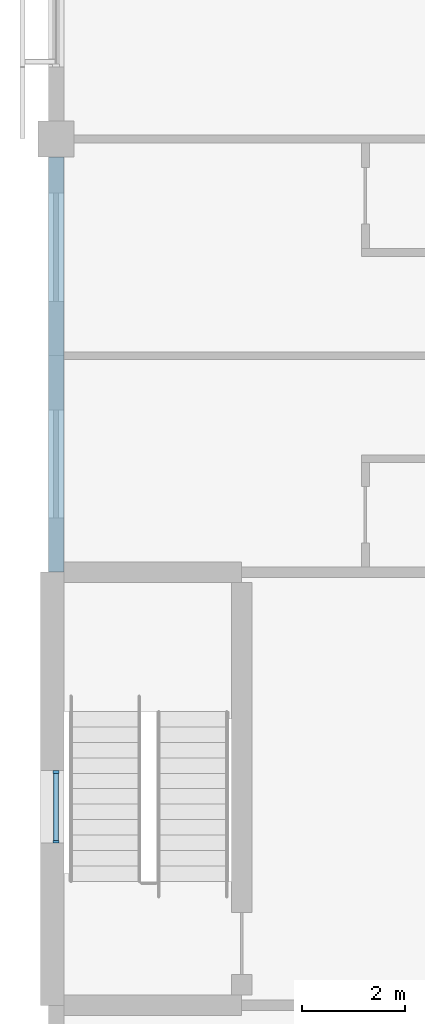
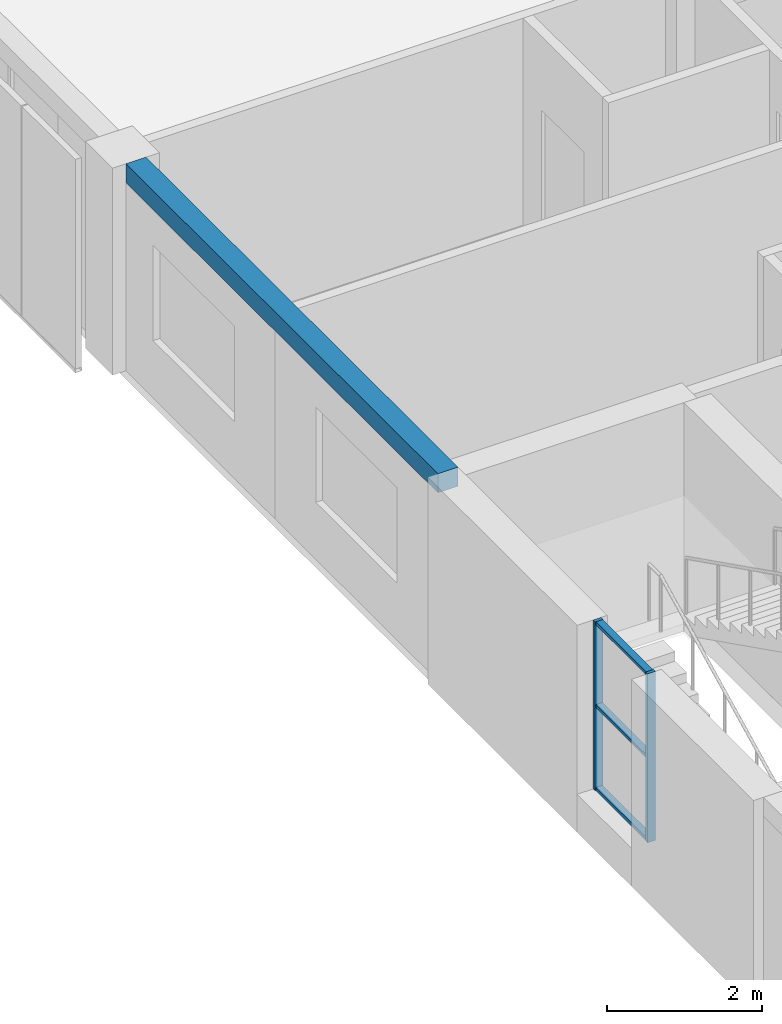
# One storey, part 3 of 45: 5 members, 1 beam, 1 element without a shape of its own.
"""IFC4 building model written with IfcOpenShell, lengths in metres."""

from ifc_helpers import new_model, si_unit, direction, frame, origin, origin_2d, place, context, subcontext, project, spatial, rectangle, extrude, material, material_profile, profile_set, type_object, element, aggregate, save


model = new_model("IFC4")

# Units and contexts
model_context = context("Model", 3, precision=1e-05, world=origin(), true_north=direction((0.0, 1.0)))
body_context = subcontext(model_context, "Body", "Model", "MODEL_VIEW")
ifc_project = project(units=[si_unit("LENGTHUNIT", "METRE"), si_unit("AREAUNIT", "SQUARE_METRE"), si_unit("VOLUMEUNIT", "CUBIC_METRE"), si_unit("PLANEANGLEUNIT", "RADIAN"), si_unit("MASSUNIT", "GRAM", prefix="KILO")], contexts=[model_context])

# Site, building, storey
site_placement = place(None, origin())
site = spatial("IfcSite", under=ifc_project, at=site_placement, CompositionType="ELEMENT")
building_placement = place(site_placement, origin())
building = spatial("IfcBuilding", under=site, at=building_placement, Name="Yavir Park General Hospital", CompositionType="ELEMENT")
storey_placement = place(building_placement, frame((0.0, 0.0, 22.5)))
storey = spatial("IfcBuildingStorey", under=building, at=storey_placement, Name="L05", CompositionType="ELEMENT", Elevation=22.5)

# Beam
ifc_material_1 = material(Name="Concrete C35/45", Category="concrete")
ifc_material_profile_1 = material_profile(ifc_material_1, rectangle(XDim=0.300048828125, YDim=0.300048828125, at=origin_2d()), Name="RC300x300")
ifc_profile_set_1 = profile_set([ifc_material_profile_1], Name="Concrete C35/45")
beam_type = type_object("IfcBeamType", Name="RC BEAM 300x300 edge beam", PredefinedType="BEAM", material=ifc_profile_set_1)
beam_placement = place(storey_placement, frame((0.0, 25.199951171875, 3.110107421875), z_axis=(0.0, 1.0, 0.0), x_axis=(-1.0, 0.0, 0.0)))
element("IfcBeam", 1, at=beam_placement, inside=storey, type_object=beam_type, Name="B:EDGE:L05:018", PredefinedType="BEAM", context=body_context, shape_type="SweptSolid", body=[
    extrude(rectangle(XDim=0.300048828125, YDim=0.300048828125, at=origin_2d()), origin(), (0.0, 0.0, 1.0), 8.050048828125),
])

# Curtain wall, members
ifc_material_2 = material(Name="Aluminium curtain wall frame with insulated glazing", Category="aluminium")
curtain_wall_type = type_object("IfcCurtainWallType", Name="Stair light slot, ward floors, 2660 high, 1400 module", PredefinedType="NOTDEFINED", material=ifc_material_2)
curtain_wall_placement = place(storey_placement, origin())
curtain_wall = element("IfcCurtainWall", 2, at=curtain_wall_placement, inside=storey, type_object=curtain_wall_type, Name="CW10 L05-017", PredefinedType="NOTDEFINED")
ifc_material_3 = material(Name="Aluminium", Category="aluminium")
ifc_material_profile_2 = material_profile(ifc_material_3, rectangle(XDim=0.1201171875, YDim=0.050048828125, at=origin_2d()), Name="AL 50x120")
ifc_profile_set_2 = profile_set([ifc_material_profile_2], Name="Aluminium")
member_type_1 = type_object("IfcMemberType", Name="Stair light slot, ward floors, 2660 high mullion 50 x 120", PredefinedType="MULLION", material=ifc_profile_set_2)
member_1_placement = place(storey_placement, frame((0.0, 19.97509765625, 0.60009765625), z_axis=(0.0, 0.0, 1.0), x_axis=(-1.0, 0.0, 0.0)))
member_1 = element("IfcMember", 3, at=member_1_placement, type_object=member_type_1, Name="CW10 mullion 1", PredefinedType="MULLION", context=body_context, shape_type="SweptSolid", body=[
    extrude(rectangle(XDim=0.1201171875, YDim=0.050048828125, at=origin_2d()), origin(), (0.0, 0.0, 1.0), 2.659912109375),
])
member_2_placement = place(storey_placement, frame((0.0, 21.324951171875, 0.60009765625), z_axis=(0.0, 0.0, 1.0), x_axis=(-1.0, 0.0, 0.0)))
member_2 = element("IfcMember", 4, at=member_2_placement, type_object=member_type_1, Name="CW10 mullion 2", PredefinedType="MULLION", context=body_context, shape_type="SweptSolid", body=[
    extrude(rectangle(XDim=0.1201171875, YDim=0.050048828125, at=origin_2d()), origin(), (0.0, 0.0, 1.0), 2.659912109375),
])
ifc_material_4 = material(Name="Aluminium", Category="aluminium")
ifc_material_profile_3 = material_profile(ifc_material_4, rectangle(XDim=0.10009765625, YDim=0.050048828125, at=origin_2d()), Name="AL 100x50")
ifc_profile_set_3 = profile_set([ifc_material_profile_3], Name="Aluminium")
member_type_2 = type_object("IfcMemberType", Name="Stair light slot, ward floors, 2660 high transom 50 x 100", PredefinedType="MULLION", material=ifc_profile_set_3)
member_3_placement = place(storey_placement, frame((0.0, 20.0, 0.625), z_axis=(0.0, 1.0, 0.0), x_axis=(-1.0, 0.0, 0.0)))
member_3 = element("IfcMember", 5, at=member_3_placement, type_object=member_type_2, Name="CW10 transom 1.1", PredefinedType="MULLION", context=body_context, shape_type="SweptSolid", body=[
    extrude(rectangle(XDim=0.10009765625, YDim=0.050048828125, at=origin_2d()), origin(), (0.0, 0.0, 1.0), 1.300048828125),
])
member_4_placement = place(storey_placement, frame((0.0, 20.0, 1.929931640625), z_axis=(0.0, 1.0, 0.0), x_axis=(-1.0, 0.0, 0.0)))
member_4 = element("IfcMember", 6, at=member_4_placement, type_object=member_type_2, Name="CW10 transom 1.2", PredefinedType="MULLION", context=body_context, shape_type="SweptSolid", body=[
    extrude(rectangle(XDim=0.10009765625, YDim=0.050048828125, at=origin_2d()), origin(), (0.0, 0.0, 1.0), 1.300048828125),
])
member_5_placement = place(storey_placement, frame((0.0, 20.0, 3.235107421875), z_axis=(0.0, 1.0, 0.0), x_axis=(-1.0, 0.0, 0.0)))
member_5 = element("IfcMember", 7, at=member_5_placement, type_object=member_type_2, Name="CW10 transom 1.3", PredefinedType="MULLION", context=body_context, shape_type="SweptSolid", body=[
    extrude(rectangle(XDim=0.10009765625, YDim=0.050048828125, at=origin_2d()), origin(), (0.0, 0.0, 1.0), 1.300048828125),
])
aggregate(curtain_wall, [member_1, member_2, member_3, member_4, member_5])

save(model, "model.ifc")
